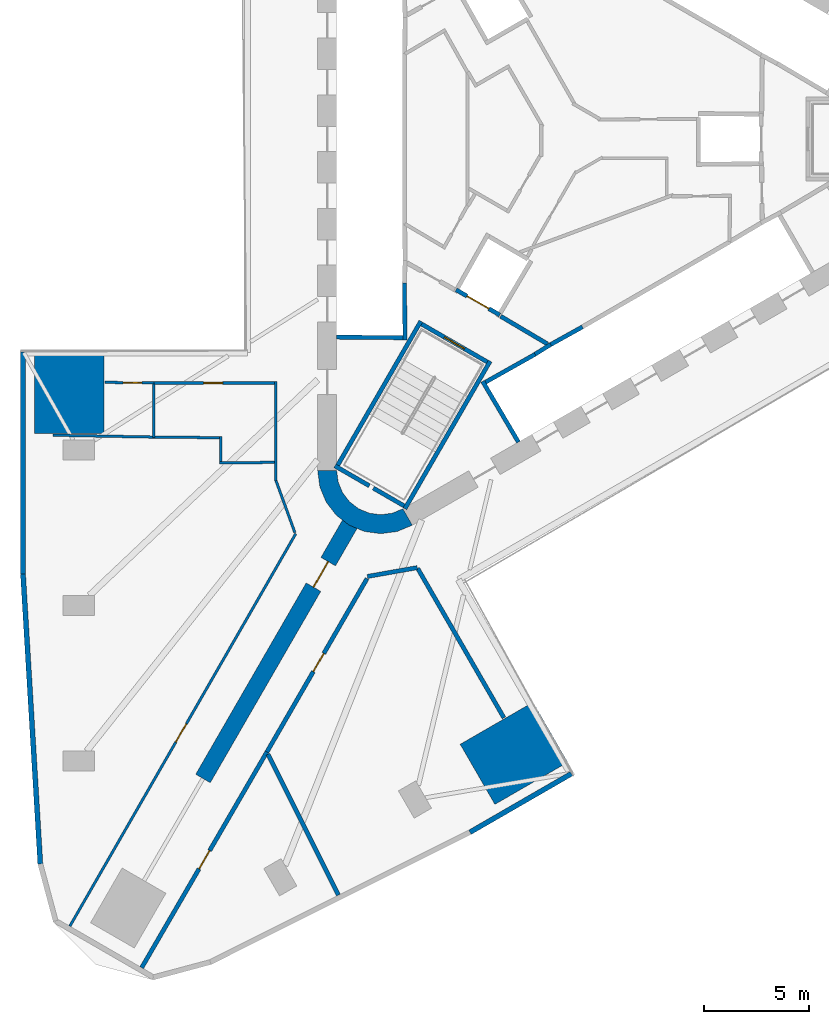
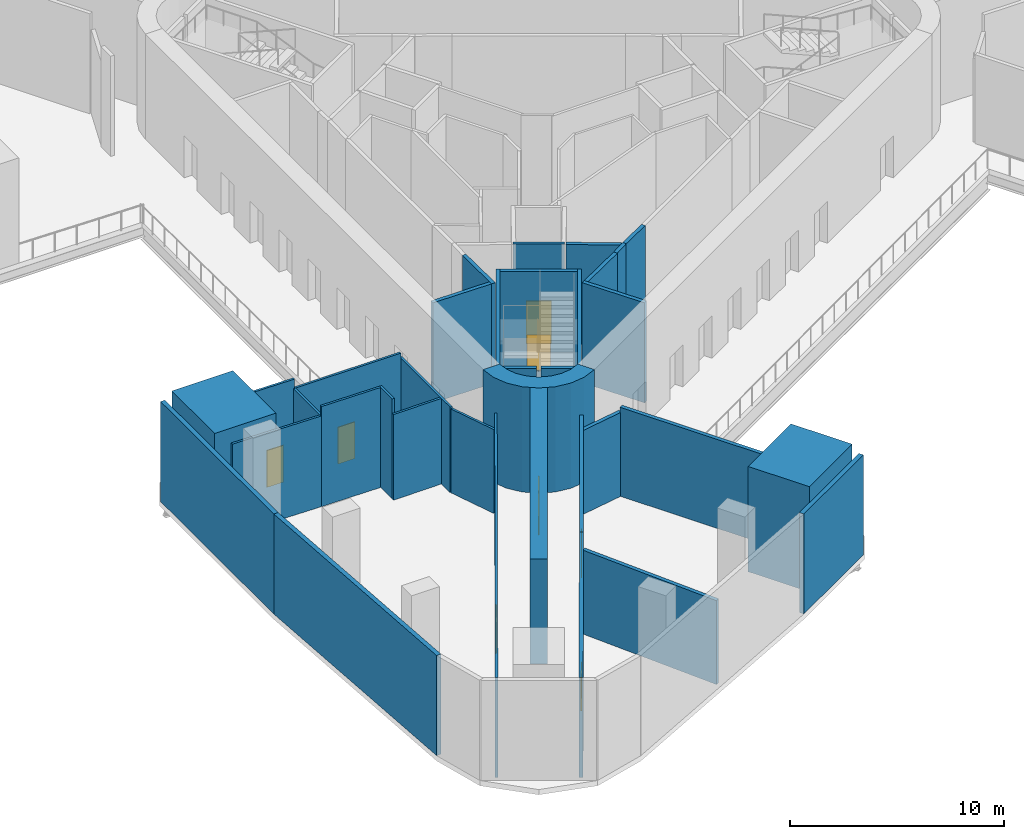
# One storey, part 3 of 11: 35 walls, 8 doors, 8 openings.
"""IFC4 building model written with IfcOpenShell, lengths in metres."""

import ifcopenshell
import ifcopenshell.guid

model = None  # the IFC model being written
_history = None  # IfcOwnerHistory: only IFC2X3 demands one
_inside = {}  # id of a spatial element -> (the spatial element, [elements in it])
_under = {}  # id of a project, library or spatial element -> (it, [spatial elements below it])
_declared = {}  # id of a project -> (the project, [libraries it declares])
_typed = {}  # id of a type object -> (the type object, [elements of that type])
_made_of = {}  # id of a material, layer set ... -> (it, [elements and type objects made of it])


def new_model(schema):
    """Start an empty IFC model of exactly this schema.

    Asked for "IFC4X3", IfcOpenShell would pick the latest addendum, in which some entities
    have other attributes; the version numbers below select the first issue.
    IFC2X3 requires an IfcOwnerHistory on every rooted entity: one is made here for all.
    """
    global model, _history
    if schema == "IFC4X3":
        model = ifcopenshell.file(schema_version=(4, 3, 0, 0))
    else:
        model = ifcopenshell.file(schema=schema)
    _inside.clear()
    _under.clear()
    _declared.clear()
    _typed.clear()
    _made_of.clear()
    _history = None
    if model.schema == "IFC2X3":
        org = make("IfcOrganization", Name="unknown")
        user = make(
            "IfcPersonAndOrganization",
            ThePerson=make("IfcPerson", FamilyName="unknown"),
            TheOrganization=org,
        )
        app = make(
            "IfcApplication",
            ApplicationDeveloper=org,
            Version="unknown",
            ApplicationFullName="unknown",
            ApplicationIdentifier="unknown",
        )
        _history = make(
            "IfcOwnerHistory",
            OwningUser=user,
            OwningApplication=app,
            ChangeAction="ADDED",
            CreationDate=0,
        )
    return model


def make(cls, **values):
    """One entity of the class cls with the attributes given. An attribute that is None is left unset."""
    return model.create_entity(
        cls, **{name: value for name, value in values.items() if value is not None}
    )


def rooted(cls, **values):
    """An entity with a GlobalId (a new one), such as an element, a storey or a relation."""
    return make(cls, GlobalId=ifcopenshell.guid.new(), OwnerHistory=_history, **values)


def si_unit(unit_type, name, prefix=None):
    """IfcSIUnit, for example si_unit("LENGTHUNIT", "METRE", prefix="MILLI")."""
    return make("IfcSIUnit", UnitType=unit_type, Prefix=prefix, Name=name)


def assignment(units):
    """IfcUnitAssignment: the units of a project."""
    return None if units is None else make("IfcUnitAssignment", Units=units)


def point(xyz):
    """IfcCartesianPoint."""
    return None if xyz is None else make("IfcCartesianPoint", Coordinates=xyz)


def direction(xyz):
    """IfcDirection."""
    return None if xyz is None else make("IfcDirection", DirectionRatios=xyz)


def frame(location, z_axis=None, x_axis=None):
    """IfcAxis2Placement3D, a coordinate frame: its origin and axes. An axis left out is left unset."""
    return make(
        "IfcAxis2Placement3D",
        Location=point(location),
        Axis=direction(z_axis),
        RefDirection=direction(x_axis),
    )


def frame_2d(location, x_axis=None):
    """IfcAxis2Placement2D, a coordinate frame in the plane: its origin and x axis."""
    return make(
        "IfcAxis2Placement2D", Location=point(location), RefDirection=direction(x_axis)
    )


def origin():
    """The frame at (0, 0, 0) with its axes left unset."""
    return frame((0.0, 0.0, 0.0))


def place(relative_to, where):
    """IfcLocalPlacement: puts the frame where relative to a parent placement (None: the world)."""
    return make(
        "IfcLocalPlacement", PlacementRelTo=relative_to, RelativePlacement=where
    )


def context(
    kind, dimensions, precision=None, world=None, true_north=None, identifier=None
):
    """IfcGeometricRepresentationContext, for example the 3D "Model" context."""
    return make(
        "IfcGeometricRepresentationContext",
        ContextIdentifier=identifier,
        ContextType=kind,
        CoordinateSpaceDimension=dimensions,
        Precision=precision,
        WorldCoordinateSystem=world,
        TrueNorth=true_north,
    )


def subcontext(parent, identifier, kind, view, scale=None):
    """IfcGeometricRepresentationSubContext, for example "Body" below "Model"."""
    return make(
        "IfcGeometricRepresentationSubContext",
        ContextIdentifier=identifier,
        ContextType=kind,
        ParentContext=parent,
        TargetScale=scale,
        TargetView=view,
    )


def project(units=None, contexts=None):
    """IfcProject with its units and contexts."""
    return rooted(
        "IfcProject",
        Name="project",
        RepresentationContexts=contexts,
        UnitsInContext=assignment(units),
    )


def spatial(cls, under=None, at=None, **own):
    """A site, building, storey or space (cls), placed at a placement, below another one or the project."""
    s = rooted(cls, ObjectPlacement=at, **own)
    if under is not None:
        _under.setdefault(under.id(), (under, []))[1].append(s)
    return s


def polyline(points):
    """IfcPolyline through the points."""
    return make("IfcPolyline", Points=[point(p) for p in points])


def profile(cls, at=None, kind="AREA", **sizes):
    """A parametric profile (cls). Its sizes go by their IFC names, for example OverallWidth=200.0."""
    return make(cls, ProfileType=kind, Position=at, **sizes)


def rectangle(**sizes):
    """IfcRectangleProfileDef."""
    return profile("IfcRectangleProfileDef", **sizes)


def outline(outer, holes=None, kind="AREA"):
    """IfcArbitraryClosedProfileDef: a profile drawn as a closed curve; with holes, ...WithVoids."""
    if holes is None:
        return make("IfcArbitraryClosedProfileDef", ProfileType=kind, OuterCurve=outer)
    return make(
        "IfcArbitraryProfileDefWithVoids",
        ProfileType=kind,
        OuterCurve=outer,
        InnerCurves=holes,
    )


def extrude(swept, where, along, depth):
    """IfcExtrudedAreaSolid: the profile swept, set in the frame where, extruded along a direction by depth."""
    return make(
        "IfcExtrudedAreaSolid",
        SweptArea=swept,
        Position=where,
        ExtrudedDirection=direction(along),
        Depth=depth,
    )


def shape(context_of_items, identifier, shape_type, items):
    """IfcShapeRepresentation: the items that make up one representation, for example the "Body"."""
    return make(
        "IfcShapeRepresentation",
        ContextOfItems=context_of_items,
        RepresentationIdentifier=identifier,
        RepresentationType=shape_type,
        Items=items,
    )


def material(Name=None, Category=None):
    """IfcMaterial."""
    return make("IfcMaterial", Name=Name, Category=Category)


def layer(
    of_material, thickness, ventilated=None, Name=None, Category=None, Priority=None
):
    """IfcMaterialLayer: one layer of a wall or slab, of a material (None: an air gap)."""
    return make(
        "IfcMaterialLayer",
        Material=of_material,
        LayerThickness=thickness,
        IsVentilated=ventilated,
        Name=Name,
        Category=Category,
        Priority=Priority,
    )


def layer_set(layers, Name=None):
    """IfcMaterialLayerSet."""
    return make("IfcMaterialLayerSet", MaterialLayers=layers, LayerSetName=Name)


def made_of(thing, what):
    """Note that an element or type object is made of a material, layer set ...; save() writes the relation."""
    if what is not None:
        _made_of.setdefault(what.id(), (what, []))[1].append(thing)
    return thing


def type_object(cls, material=None, **own):
    """A type object (cls), such as IfcWallType, which elements share."""
    return made_of(rooted(cls, **own), material)


def element(
    cls,
    number,
    at=None,
    inside=None,
    cuts=None,
    type_object=None,
    material=None,
    context=None,
    identifier="Body",
    shape_type=None,
    held_by="IfcProductDefinitionShape",
    body=None,
    shapes=None,
    **own,
):
    """One element of the class cls, such as IfcWall. Its Tag is "e" and its number.

    at: its placement. inside: the storey or other place that contains it. cuts: it is an
    opening in that element (IfcRelVoidsElement). A single representation is given by context,
    identifier, shape_type and body (its items); several are given by shapes. held_by: the class
    of the entity that holds the representations. save() writes the other relations.
    """
    e = rooted(cls, Tag="e%d" % number, ObjectPlacement=at, **own)
    if body is not None:
        shapes = [shape(context, identifier, shape_type, body)]
    if shapes is not None:
        e.Representation = make(held_by, Representations=shapes)
    if inside is not None:
        _inside.setdefault(inside.id(), (inside, []))[1].append(e)
    if cuts is not None:
        rooted(
            "IfcRelVoidsElement", RelatingBuildingElement=cuts, RelatedOpeningElement=e
        )
    if type_object is not None:
        _typed.setdefault(type_object.id(), (type_object, []))[1].append(e)
    return made_of(e, material)


def fill(opening, filler):
    """IfcRelFillsElement: the door or window that sits in an opening."""
    return rooted(
        "IfcRelFillsElement",
        RelatingOpeningElement=opening,
        RelatedBuildingElement=filler,
    )


def aggregate(whole, parts):
    """IfcRelAggregates: a whole, such as a stair, and the parts it consists of."""
    return rooted("IfcRelAggregates", RelatingObject=whole, RelatedObjects=parts)


def save(model, path):
    """Write the relations noted so far, then the file.

    IfcRelAggregates (storeys below a building ...), IfcRelContainedInSpatialStructure (elements
    in a storey), IfcRelDefinesByType, IfcRelAssociatesMaterial and IfcRelDeclares: one each for
    every whole, place, type object, material and project.
    """
    for whole, parts in _under.values():
        aggregate(whole, parts)
    for where, things in _inside.values():
        rooted(
            "IfcRelContainedInSpatialStructure",
            RelatedElements=things,
            RelatingStructure=where,
        )
    for kind, things in _typed.values():
        rooted("IfcRelDefinesByType", RelatedObjects=things, RelatingType=kind)
    for what, things in _made_of.values():
        rooted("IfcRelAssociatesMaterial", RelatedObjects=things, RelatingMaterial=what)
    for by, libraries in _declared.values():
        rooted("IfcRelDeclares", RelatingContext=by, RelatedDefinitions=libraries)
    model.write(path)


model = new_model("IFC4")

# Units and contexts
model_context = context("Model", 3, precision=1e-05, world=origin(), true_north=direction((0.0, 1.0)))
body_context = subcontext(model_context, "Body", "Model", "MODEL_VIEW")
ifc_project = project(units=[si_unit("LENGTHUNIT", "METRE"), si_unit("AREAUNIT", "SQUARE_METRE"), si_unit("VOLUMEUNIT", "CUBIC_METRE"), si_unit("PLANEANGLEUNIT", "RADIAN"), si_unit("MASSUNIT", "GRAM", prefix="KILO")], contexts=[model_context])

# Site, building, storey
site_placement = place(None, origin())
site = spatial("IfcSite", under=ifc_project, at=site_placement, CompositionType="ELEMENT")
building_placement = place(site_placement, origin())
building = spatial("IfcBuilding", under=site, at=building_placement, Name="Tanit Gate Tower", CompositionType="ELEMENT")
storey_placement = place(building_placement, frame((0.0, 0.0, 15.5)))
storey = spatial("IfcBuildingStorey", under=building, at=storey_placement, Name="L02", CompositionType="ELEMENT", Elevation=15.5)

# Wall, opening, door
ifc_material_1 = material(Name="Concrete C60/75", Category="concrete")
ifc_layer_1 = layer(ifc_material_1, 0.800048828125)
ifc_layer_set_1 = layer_set([ifc_layer_1], Name="BUTTRESS FIN 800 C60/75")
wall_type_1 = type_object("IfcWallType", Name="BUTTRESS FIN 800 C60/75", PredefinedType="SHEAR", material=ifc_layer_set_1)
wall_1_placement = place(storey_placement, frame((-10.574951171875, -18.31640625, 0.0), z_axis=(0.0, 0.0, 1.0), x_axis=(-0.499996575515, -0.866027380903, 0.0)))
wall_1 = element("IfcWall", 1, at=wall_1_placement, inside=storey, type_object=wall_type_1, Name="BUTTRESS FIN", PredefinedType="SHEAR", context=body_context, shape_type="SweptSolid", body=[
    extrude(rectangle(XDim=13.9541015625, YDim=0.800048828125, at=frame_2d((6.97705078125, 0.0))), origin(), (0.0, 0.0, 1.0), 6.0),
])
opening_1_placement = place(wall_1_placement, frame((2.050048828125, 0.0, 0.0)))
opening_1 = element("IfcOpeningElement", 2, at=opening_1_placement, cuts=wall_1, Name="Opening P14-02-F-SW-1", PredefinedType="OPENING", context=body_context, shape_type="SweptSolid", body=[
    extrude(rectangle(XDim=1.39990234375, YDim=2.39990234375, at=frame_2d((0.699951171875, 1.199951171875))), frame((0.0, 0.41015625, 0.0), z_axis=(0.0, -1.0, 0.0), x_axis=(1.0, 0.0, 0.0)), (0.0, 0.0, 1.0), 0.820068359375),
])
ifc_material_2 = material(Name="Timber door leaf", Category="wood")
door_type_1 = type_object("IfcDoorType", Name="INT-DOOR-FIN-PAIR-1400", OperationType="NOTDEFINED", PredefinedType="NOTDEFINED", material=ifc_material_2)
door_1_placement = place(opening_1_placement, origin())
door_1 = element("IfcDoor", 3, at=door_1_placement, inside=storey, type_object=door_type_1, Name="Door P14-02-F-SW-1", OperationType="DOUBLE_DOOR_SINGLE_SWING", OverallHeight=2.39990234375, OverallWidth=1.39990234375, PredefinedType="NOTDEFINED", context=body_context, shape_type="SweptSolid", body=[
    extrude(rectangle(XDim=1.39990234375, YDim=2.39990234375, at=frame_2d((0.699951171875, 1.199951171875))), frame((0.0, 0.02490234375, 0.0), z_axis=(0.0, -1.0, 0.0), x_axis=(1.0, 0.0, 0.0)), (0.0, 0.0, 1.0), 0.050048828125),
])
fill(opening_1, door_1)

# Walls
ifc_material_3 = material(Name="Concrete C60/75", Category="concrete")
ifc_layer_2 = layer(ifc_material_3, 0.89990234375)
ifc_layer_set_2 = layer_set([ifc_layer_2], Name="CORE WALL 900 C60/75")
wall_type_2 = type_object("IfcWallType", Name="CORE WALL 900 C60/75", PredefinedType="SHEAR", material=ifc_layer_set_2)
wall_2_placement = place(storey_placement, origin())
element("IfcWall", 4, at=wall_2_placement, inside=storey, type_object=wall_type_2, Name="CORE WALL CORNER", PredefinedType="SHEAR", context=body_context, shape_type="SweptSolid", body=[
    extrude(outline(polyline([(-12.10009765625, -15.76171875), (-11.997802734375, -16.5380859375), (-11.697998046875, -17.26171875), (-11.22119140625, -17.883056640625), (-10.60009765625, -18.359619140625), (-9.87646484375, -18.659423828125), (-9.10009765625, -18.76171875), (-8.323486328125, -18.659423828125), (-7.60009765625, -18.359619140625), (-8.050048828125, -17.580322265625), (-8.556396484375, -17.7900390625), (-9.10009765625, -17.86181640625), (-9.6435546875, -17.7900390625), (-10.14990234375, -17.580322265625), (-10.5849609375, -17.24658203125), (-10.918701171875, -16.811767578125), (-11.12841796875, -16.30517578125), (-11.199951171875, -15.76171875), (-12.10009765625, -15.76171875)])), origin(), (0.0, 0.0, 1.0), 6.0),
])
ifc_material_4 = material(Name="Concrete C30/37 with bronze anodised aluminium cladding", Category="concrete")
ifc_layer_3 = layer(ifc_material_4, 0.239990234375)
ifc_layer_set_3 = layer_set([ifc_layer_3], Name="Facade wall bronze clad 240")
wall_type_3 = type_object("IfcWallType", Name="Facade wall bronze clad 240", PredefinedType="SOLIDWALL", material=ifc_layer_set_3)
wall_3_placement = place(storey_placement, frame((-26.107666015625, -10.119384765625, 0.0), z_axis=(0.0, 0.0, 1.0), x_axis=(6.9319284e-05, -0.999999997597, 0.0)))
element("IfcWall", 5, at=wall_3_placement, inside=storey, type_object=wall_type_3, Name="Bronze-clad facade wall L02 W2b", PredefinedType="SOLIDWALL", context=body_context, shape_type="SweptSolid", body=[
    extrude(rectangle(XDim=10.56591796875, YDim=0.239990234375, at=frame_2d((5.282958984375, 0.0))), origin(), (0.0, 0.0, 1.0), 5.699951171875),
])
wall_4_placement = place(storey_placement, frame((-26.10693359375, -20.685302734375, 0.0), z_axis=(0.0, 0.0, 1.0), x_axis=(0.059596169304, -0.998222568671, 0.0)))
element("IfcWall", 6, at=wall_4_placement, inside=storey, type_object=wall_type_3, Name="Bronze-clad facade wall L02 W3", PredefinedType="SOLIDWALL", context=body_context, shape_type="SweptSolid", body=[
    extrude(rectangle(XDim=13.80126953125, YDim=0.239990234375, at=frame_2d((6.900634765625, 0.0))), origin(), (0.0, 0.0, 1.0), 5.699951171875),
])
wall_5_placement = place(storey_placement, frame((-4.859130859375, -32.954345703125, 0.0), z_axis=(0.0, 0.0, 1.0), x_axis=(0.865999312459, 0.500045188778, 0.0)))
element("IfcWall", 7, at=wall_5_placement, inside=storey, type_object=wall_type_3, Name="Bronze-clad facade wall L02 SE2a", PredefinedType="SOLIDWALL", context=body_context, shape_type="SweptSolid", body=[
    extrude(rectangle(XDim=5.56591796875, YDim=0.239990234375, at=frame_2d((2.782958984375, 0.0))), origin(), (0.0, 0.0, 1.0), 5.699951171875),
])
ifc_material_5 = material(Name="Fire-rated gypsum board partition")
ifc_layer_4 = layer(ifc_material_5, 0.199951171875)
ifc_layer_set_4 = layer_set([ifc_layer_4], Name="INT-WALL-COMPARTMENT")
wall_type_4 = type_object("IfcWallType", Name="INT-WALL-COMPARTMENT", PredefinedType="PARTITIONING", material=ifc_layer_set_4)
wall_6_placement = place(storey_placement, frame((-3.400634765625, -8.43017578125, 0.0), z_axis=(0.0, 0.0, 1.0), x_axis=(0.860615607571, -0.509255118781, 0.0)))
element("IfcWall", 8, at=wall_6_placement, inside=storey, type_object=wall_type_4, Name="Wall Compartment W066", PredefinedType="PARTITIONING", context=body_context, shape_type="SweptSolid", body=[
    extrude(rectangle(XDim=2.58056640625, YDim=0.199951171875, at=frame_2d((1.290283203125, 0.0))), origin(), (0.0, 0.0, 1.0), 5.699951171875),
])

# Wall, opening, door
wall_7_placement = place(storey_placement, frame((-14.51416015625, -29.138916015625, 0.0), z_axis=(0.0, 0.0, 1.0), x_axis=(-0.502061989067, -0.864831636294, 0.0)))
wall_7 = element("IfcWall", 9, at=wall_7_placement, inside=storey, type_object=wall_type_4, Name="Wall Compartment W117", PredefinedType="PARTITIONING", context=body_context, shape_type="SweptSolid", body=[
    extrude(rectangle(XDim=11.85546875, YDim=0.199951171875, at=frame_2d((5.927734375, 0.0))), origin(), (0.0, 0.0, 1.0), 5.699951171875),
])
opening_2_placement = place(wall_7_placement, frame((5.42138671875, 0.0, 0.0)))
opening_2 = element("IfcOpeningElement", 10, at=opening_2_placement, cuts=wall_7, Name="Opening F10-02-23", PredefinedType="OPENING", context=body_context, shape_type="SweptSolid", body=[
    extrude(rectangle(XDim=1.0, YDim=2.10009765625, at=frame_2d((0.5, 1.050048828125))), frame((0.0, 0.10986328125, 0.0), z_axis=(0.0, -1.0, 0.0), x_axis=(1.0, 0.0, 0.0)), (0.0, 0.0, 1.0), 0.219970703125),
])
ifc_material_6 = material(Name="Fire-rated steel door leaf", Category="steel")
door_type_2 = type_object("IfcDoorType", Name="INT-DOOR-FIRE-1000", OperationType="NOTDEFINED", PredefinedType="USERDEFINED", material=ifc_material_6)
door_2_placement = place(opening_2_placement, origin())
door_2 = element("IfcDoor", 11, at=door_2_placement, inside=storey, type_object=door_type_2, Name="Door F10-02-23", ObjectType="FIRE DOOR", OperationType="SINGLE_SWING_LEFT", OverallHeight=2.10009765625, OverallWidth=1.0, PredefinedType="USERDEFINED", context=body_context, shape_type="SweptSolid", body=[
    extrude(rectangle(XDim=1.0, YDim=2.10009765625, at=frame_2d((0.5, 1.050048828125))), frame((0.0, 0.02490234375, 0.0), z_axis=(0.0, -1.0, 0.0), x_axis=(1.0, 0.0, 0.0)), (0.0, 0.0, 1.0), 0.050048828125),
])
fill(opening_2, door_2)

# Wall
wall_8_placement = place(storey_placement, frame((-9.738037109375, -20.795654296875, 0.0), z_axis=(0.0, 0.0, 1.0), x_axis=(0.984780494406, 0.173802698013, 0.0)))
element("IfcWall", 12, at=wall_8_placement, inside=storey, type_object=wall_type_4, Name="Wall Compartment W118", PredefinedType="PARTITIONING", context=body_context, shape_type="SweptSolid", body=[
    extrude(rectangle(XDim=2.40625, YDim=0.199951171875, at=frame_2d((1.203125, 0.0))), origin(), (0.0, 0.0, 1.0), 4.780029296875),
])

# Wall, opening, door
wall_9_placement = place(storey_placement, frame((-9.757568359375, -20.900634765625, 0.0), z_axis=(0.0, 0.0, 1.0), x_axis=(-0.499997931106, -0.866026598257, 0.0)))
wall_9 = element("IfcWall", 13, at=wall_9_placement, inside=storey, type_object=wall_type_4, Name="Wall Compartment W119", PredefinedType="PARTITIONING", context=body_context, shape_type="SweptSolid", body=[
    extrude(rectangle(XDim=9.5126953125, YDim=0.199951171875, at=frame_2d((4.75634765625, 0.0))), origin(), (0.0, 0.0, 1.0), 5.699951171875),
])
opening_3_placement = place(wall_9_placement, frame((4.099609375, 0.0, 0.0)))
opening_3 = element("IfcOpeningElement", 14, at=opening_3_placement, cuts=wall_9, Name="Opening F10-02-24", PredefinedType="OPENING", context=body_context, shape_type="SweptSolid", body=[
    extrude(rectangle(XDim=1.0, YDim=2.10009765625, at=frame_2d((0.5, 1.050048828125))), frame((0.0, 0.10986328125, 0.0), z_axis=(0.0, -1.0, 0.0), x_axis=(1.0, 0.0, 0.0)), (0.0, 0.0, 1.0), 0.219970703125),
])
door_3_placement = place(opening_3_placement, origin())
door_3 = element("IfcDoor", 15, at=door_3_placement, inside=storey, type_object=door_type_2, Name="Door F10-02-24", ObjectType="FIRE DOOR", OperationType="SINGLE_SWING_LEFT", OverallHeight=2.10009765625, OverallWidth=1.0, PredefinedType="USERDEFINED", context=body_context, shape_type="SweptSolid", body=[
    extrude(rectangle(XDim=1.0, YDim=2.10009765625, at=frame_2d((0.5, 1.050048828125))), frame((0.0, 0.02490234375, 0.0), z_axis=(0.0, -1.0, 0.0), x_axis=(1.0, 0.0, 0.0)), (0.0, 0.0, 1.0), 0.050048828125),
])
fill(opening_3, door_3)

# Walls
wall_10_placement = place(storey_placement, frame((-7.35009765625, -20.409423828125, 0.0), z_axis=(0.0, 0.0, 1.0), x_axis=(0.500015278874, -0.866016582343, 0.0)))
element("IfcWall", 16, at=wall_10_placement, inside=storey, type_object=wall_type_4, Name="Wall Compartment W120", PredefinedType="PARTITIONING", context=body_context, shape_type="SweptSolid", body=[
    extrude(rectangle(XDim=8.203369140625, YDim=0.199951171875, at=frame_2d((4.1015625, 0.0))), origin(), (0.0, 0.0, 1.0), 5.070068359375),
])
wall_11_placement = place(storey_placement, frame((-14.4619140625, -29.248291015625, 0.0), z_axis=(0.0, 0.0, 1.0), x_axis=(0.447304919826, -0.894381523009, 0.0)))
element("IfcWall", 17, at=wall_11_placement, inside=storey, type_object=wall_type_4, Name="Wall Compartment W125", PredefinedType="PARTITIONING", context=body_context, shape_type="SweptSolid", body=[
    extrude(rectangle(XDim=7.485107421875, YDim=0.199951171875, at=frame_2d((3.74267578125, 0.0))), origin(), (0.0, 0.0, 1.0), 4.780029296875),
])
ifc_material_7 = material(Name="Gypsum board partition")
ifc_layer_5 = layer(ifc_material_7, 0.1201171875)
ifc_layer_set_5 = layer_set([ifc_layer_5], Name="INT-WALL-PARTITION")
wall_type_5 = type_object("IfcWallType", Name="INT-WALL-PARTITION", PredefinedType="PARTITIONING", material=ifc_layer_set_5)
wall_12_placement = place(storey_placement, frame((-14.100830078125, -11.540283203125, 0.0), z_axis=(0.0, 0.0, 1.0), x_axis=(0.000155392104, -0.999999987927, 0.0)))
element("IfcWall", 18, at=wall_12_placement, inside=storey, type_object=wall_type_5, Name="Wall Partition W094", PredefinedType="PARTITIONING", context=body_context, shape_type="SweptSolid", body=[
    extrude(rectangle(XDim=4.71337890625, YDim=0.1201171875, at=frame_2d((2.356689453125, 0.0))), origin(), (0.0, 0.0, 1.0), 4.8798828125),
])

# Wall, opening, door
wall_13_placement = place(storey_placement, frame((-19.892333984375, -11.60009765625, 0.0), z_axis=(0.0, 0.0, 1.0), x_axis=(0.999999999093, -4.2596694e-05, 0.0)))
wall_13 = element("IfcWall", 19, at=wall_13_placement, inside=storey, type_object=wall_type_5, Name="Wall Partition W095", PredefinedType="PARTITIONING", context=body_context, shape_type="SweptSolid", body=[
    extrude(rectangle(XDim=5.7314453125, YDim=0.1201171875, at=frame_2d((2.86572265625, 0.0))), origin(), (0.0, 0.0, 1.0), 5.169921875),
])
opening_4_placement = place(wall_13_placement, frame((2.3701171875, 0.0, 0.0)))
opening_4 = element("IfcOpeningElement", 20, at=opening_4_placement, cuts=wall_13, Name="Opening D09-02-17", PredefinedType="OPENING", context=body_context, shape_type="SweptSolid", body=[
    extrude(rectangle(XDim=0.89990234375, YDim=2.10009765625, at=frame_2d((0.449951171875, 1.050048828125))), frame((0.0, 0.070068359375, 0.0), z_axis=(0.0, -1.0, 0.0), x_axis=(1.0, 0.0, 0.0)), (0.0, 0.0, 1.0), 0.14013671875),
])
ifc_material_8 = material(Name="Timber door leaf", Category="wood")
door_type_3 = type_object("IfcDoorType", Name="INT-DOOR-SINGLE-900", OperationType="NOTDEFINED", PredefinedType="NOTDEFINED", material=ifc_material_8)
door_4_placement = place(opening_4_placement, origin())
door_4 = element("IfcDoor", 21, at=door_4_placement, inside=storey, type_object=door_type_3, Name="Door D09-02-17", OperationType="SINGLE_SWING_RIGHT", OverallHeight=2.10009765625, OverallWidth=0.89990234375, PredefinedType="NOTDEFINED", context=body_context, shape_type="SweptSolid", body=[
    extrude(rectangle(XDim=0.89990234375, YDim=2.10009765625, at=frame_2d((0.449951171875, 1.050048828125))), frame((0.0, 0.02490234375, 0.0), z_axis=(0.0, -1.0, 0.0), x_axis=(1.0, 0.0, 0.0)), (0.0, 0.0, 1.0), 0.050048828125),
])
fill(opening_4, door_4)

wall_14_placement = place(storey_placement, frame((-22.203369140625, -11.570068359375, 0.0), z_axis=(0.0, 0.0, 1.0), x_axis=(0.999915590323, -0.012992775999, 0.0)))
wall_14 = element("IfcWall", 22, at=wall_14_placement, inside=storey, type_object=wall_type_5, Name="Wall Partition W096", PredefinedType="PARTITIONING", context=body_context, shape_type="SweptSolid", body=[
    extrude(rectangle(XDim=2.311279296875, YDim=0.1201171875, at=frame_2d((1.15576171875, 0.0))), origin(), (0.0, 0.0, 1.0), 5.699951171875),
])
opening_5_placement = place(wall_14_placement, frame((0.8505859375, 0.0, 0.0)))
opening_5 = element("IfcOpeningElement", 23, at=opening_5_placement, cuts=wall_14, Name="Opening D09-02-27", PredefinedType="OPENING", context=body_context, shape_type="SweptSolid", body=[
    extrude(rectangle(XDim=0.89990234375, YDim=2.10009765625, at=frame_2d((0.449951171875, 1.050048828125))), frame((0.0, 0.070068359375, 0.0), z_axis=(0.0, -1.0, 0.0), x_axis=(1.0, 0.0, 0.0)), (0.0, 0.0, 1.0), 0.14013671875),
])
door_5_placement = place(opening_5_placement, origin())
door_5 = element("IfcDoor", 24, at=door_5_placement, inside=storey, type_object=door_type_3, Name="Door D09-02-27", OperationType="SINGLE_SWING_LEFT", OverallHeight=2.10009765625, OverallWidth=0.89990234375, PredefinedType="NOTDEFINED", context=body_context, shape_type="SweptSolid", body=[
    extrude(rectangle(XDim=0.89990234375, YDim=2.10009765625, at=frame_2d((0.449951171875, 1.050048828125))), frame((0.0, 0.02490234375, 0.0), z_axis=(0.0, -1.0, 0.0), x_axis=(1.0, 0.0, 0.0)), (0.0, 0.0, 1.0), 0.050048828125),
])
fill(opening_5, door_5)

wall_15_placement = place(storey_placement, frame((-23.880859375, -37.42041015625, 0.0), z_axis=(0.0, 0.0, 1.0), x_axis=(0.49883822201, 0.866695118402, 0.0)))
wall_15 = element("IfcWall", 25, at=wall_15_placement, inside=storey, type_object=wall_type_5, Name="Wall Partition W097", PredefinedType="PARTITIONING", context=body_context, shape_type="SweptSolid", body=[
    extrude(rectangle(XDim=21.526611328125, YDim=0.1201171875, at=frame_2d((10.76318359375, 0.0))), origin(), (0.0, 0.0, 1.0), 5.699951171875),
])
opening_6_placement = place(wall_15_placement, frame((10.099365234375, 0.0, 0.0)))
opening_6 = element("IfcOpeningElement", 26, at=opening_6_placement, cuts=wall_15, Name="Opening D10-02-18", PredefinedType="OPENING", context=body_context, shape_type="SweptSolid", body=[
    extrude(rectangle(XDim=1.0, YDim=2.10009765625, at=frame_2d((0.5, 1.050048828125))), frame((0.0, 0.070068359375, 0.0), z_axis=(0.0, -1.0, 0.0), x_axis=(1.0, 0.0, 0.0)), (0.0, 0.0, 1.0), 0.14013671875),
])
ifc_material_9 = material(Name="Timber door leaf", Category="wood")
door_type_4 = type_object("IfcDoorType", Name="INT-DOOR-SINGLE-1000", OperationType="NOTDEFINED", PredefinedType="NOTDEFINED", material=ifc_material_9)
door_6_placement = place(opening_6_placement, origin())
door_6 = element("IfcDoor", 27, at=door_6_placement, inside=storey, type_object=door_type_4, Name="Door D10-02-18", OperationType="SINGLE_SWING_RIGHT", OverallHeight=2.10009765625, OverallWidth=1.0, PredefinedType="NOTDEFINED", context=body_context, shape_type="SweptSolid", body=[
    extrude(rectangle(XDim=1.0, YDim=2.10009765625, at=frame_2d((0.5, 1.050048828125))), frame((0.0, 0.02490234375, 0.0), z_axis=(0.0, -1.0, 0.0), x_axis=(1.0, 0.0, 0.0)), (0.0, 0.0, 1.0), 0.050048828125),
])
fill(opening_6, door_6)

# Walls
wall_16_placement = place(storey_placement, frame((-14.07958984375, -16.25, 0.0), z_axis=(0.0, 0.0, 1.0), x_axis=(0.34184025858, -0.939758073982, 0.0)))
element("IfcWall", 28, at=wall_16_placement, inside=storey, type_object=wall_type_5, Name="Wall Partition W098", PredefinedType="PARTITIONING", context=body_context, shape_type="SweptSolid", body=[
    extrude(rectangle(XDim=2.621826171875, YDim=0.1201171875, at=frame_2d((1.31103515625, 0.0))), origin(), (0.0, 0.0, 1.0), 4.780029296875),
])
wall_17_placement = place(storey_placement, frame((-19.892333984375, -11.659912109375, 0.0), z_axis=(0.0, 0.0, 1.0), x_axis=(0.0, -1.0, 0.0)))
element("IfcWall", 29, at=wall_17_placement, inside=storey, type_object=wall_type_5, Name="Wall Partition W100", PredefinedType="PARTITIONING", context=body_context, shape_type="SweptSolid", body=[
    extrude(rectangle(XDim=2.540771484375, YDim=0.1201171875, at=frame_2d((1.2705078125, 0.0))), origin(), (0.0, 0.0, 1.0), 5.169921875),
])
wall_18_placement = place(storey_placement, frame((-14.159912109375, -15.372314453125, 0.0), z_axis=(0.0, 0.0, 1.0), x_axis=(-0.999933313555, -0.011548525593, 0.0)))
element("IfcWall", 30, at=wall_18_placement, inside=storey, type_object=wall_type_5, Name="Wall Partition W101", PredefinedType="PARTITIONING", context=body_context, shape_type="SweptSolid", body=[
    extrude(rectangle(XDim=2.600341796875, YDim=0.1201171875, at=frame_2d((1.30029296875, 0.0))), origin(), (0.0, 0.0, 1.0), 4.8798828125),
])
wall_19_placement = place(storey_placement, frame((-16.699951171875, -15.341796875, 0.0), z_axis=(0.0, 0.0, 1.0), x_axis=(0.0, 1.0, 0.0)))
element("IfcWall", 31, at=wall_19_placement, inside=storey, type_object=wall_type_5, Name="Wall Partition W102", PredefinedType="PARTITIONING", context=body_context, shape_type="SweptSolid", body=[
    extrude(rectangle(XDim=1.200439453125, YDim=0.1201171875, at=frame_2d((0.60009765625, 0.0))), origin(), (0.0, 0.0, 1.0), 5.699951171875),
])
wall_20_placement = place(storey_placement, frame((-16.760009765625, -14.20068359375, 0.0), z_axis=(0.0, 0.0, 1.0), x_axis=(-0.999954917278, 0.009495441583, 0.0)))
element("IfcWall", 32, at=wall_20_placement, inside=storey, type_object=wall_type_5, Name="Wall Partition W103", PredefinedType="PARTITIONING", context=body_context, shape_type="SweptSolid", body=[
    extrude(rectangle(XDim=3.16259765625, YDim=0.1201171875, at=frame_2d((1.581298828125, 0.0))), origin(), (0.0, 0.0, 1.0), 5.699951171875),
])
wall_21_placement = place(storey_placement, frame((-19.92236328125, -14.170654296875, 0.0), z_axis=(0.0, 0.0, 1.0), x_axis=(-0.999824012801, 0.018760155269, 0.0)))
element("IfcWall", 33, at=wall_21_placement, inside=storey, type_object=wall_type_5, Name="Wall Partition W104", PredefinedType="PARTITIONING", context=body_context, shape_type="SweptSolid", body=[
    extrude(rectangle(XDim=4.762939453125, YDim=0.1201171875, at=frame_2d((2.38134765625, 0.0))), origin(), (0.0, 0.0, 1.0), 5.169921875),
])
ifc_material_10 = material(Name="Gypsum shaft wall system")
ifc_layer_6 = layer(ifc_material_10, 0.199951171875)
ifc_layer_set_6 = layer_set([ifc_layer_6], Name="INT-WALL-SHAFT")
wall_type_6 = type_object("IfcWallType", Name="INT-WALL-SHAFT", PredefinedType="PLUMBINGWALL", material=ifc_layer_set_6)
wall_22_placement = place(storey_placement, frame((-7.97900390625, -6.85009765625, 0.0), z_axis=(0.0, 0.0, 1.0), x_axis=(0.011121475088, -0.999938154483, 0.0)))
element("IfcWall", 34, at=wall_22_placement, inside=storey, type_object=wall_type_6, Name="Wall Shaft W011", PredefinedType="PLUMBINGWALL", context=body_context, shape_type="SweptSolid", body=[
    extrude(rectangle(XDim=2.7001953125, YDim=0.199951171875, at=frame_2d((1.35009765625, 0.0))), origin(), (0.0, 0.0, 1.0), 5.699951171875),
])
wall_23_placement = place(storey_placement, frame((-8.050048828125, -9.448974609375, 0.0), z_axis=(0.0, 0.0, 1.0), x_axis=(-0.999957467379, 0.009222983926, 0.0)))
element("IfcWall", 35, at=wall_23_placement, inside=storey, type_object=wall_type_6, Name="Wall Shaft W012", PredefinedType="PLUMBINGWALL", context=body_context, shape_type="SweptSolid", body=[
    extrude(rectangle(XDim=3.150146484375, YDim=0.199951171875, at=frame_2d((1.5751953125, 0.0))), origin(), (0.0, 0.0, 1.0), 5.699951171875),
])
wall_24_placement = place(storey_placement, frame((-2.557861328125, -14.409423828125, 0.0), z_axis=(0.0, 0.0, 1.0), x_axis=(-0.507997497166, 0.861358544901, 0.0)))
element("IfcWall", 36, at=wall_24_placement, inside=storey, type_object=wall_type_6, Name="Wall Shaft W027", PredefinedType="PLUMBINGWALL", context=body_context, shape_type="SweptSolid", body=[
    extrude(rectangle(XDim=3.350341796875, YDim=0.199951171875, at=frame_2d((1.67529296875, 0.0))), origin(), (0.0, 0.0, 1.0), 5.699951171875),
])
wall_25_placement = place(storey_placement, frame((-1.7685546875, -10.23681640625, 0.0), z_axis=(0.0, 0.0, 1.0), x_axis=(-0.871534483978, -0.490334215854, 0.0)))
element("IfcWall", 37, at=wall_25_placement, inside=storey, type_object=wall_type_6, Name="Wall Shaft W028", PredefinedType="PLUMBINGWALL", context=body_context, shape_type="SweptSolid", body=[
    extrude(rectangle(XDim=2.7001953125, YDim=0.199951171875, at=frame_2d((1.35009765625, 0.0))), origin(), (0.0, 0.0, 1.0), 5.699951171875),
])
wall_26_placement = place(storey_placement, frame((-1.02392578125, -9.77099609375, 0.0), z_axis=(0.0, 0.0, 1.0), x_axis=(-0.850348075135, -0.526220629693, 0.0)))
element("IfcWall", 38, at=wall_26_placement, inside=storey, type_object=wall_type_6, Name="Wall Shaft W029", PredefinedType="PLUMBINGWALL", context=body_context, shape_type="SweptSolid", body=[
    extrude(rectangle(XDim=0.878173828125, YDim=0.199951171875, at=frame_2d((0.43896484375, 0.0))), origin(), (0.0, 0.0, 1.0), 5.699951171875),
])
wall_27_placement = place(storey_placement, frame((-1.130126953125, -9.831298828125, 0.0), z_axis=(0.0, 0.0, 1.0), x_axis=(0.874269620932, 0.485440655401, 0.0)))
element("IfcWall", 39, at=wall_27_placement, inside=storey, type_object=wall_type_6, Name="Wall Shaft W030", PredefinedType="PLUMBINGWALL", context=body_context, shape_type="SweptSolid", body=[
    extrude(rectangle(XDim=1.8447265625, YDim=0.199951171875, at=frame_2d((0.92236328125, 0.0))), origin(), (0.0, 0.0, 1.0), 5.699951171875),
])

# Wall, opening, door
wall_28_placement = place(storey_placement, frame((-3.44580078125, -8.3681640625, 0.0), z_axis=(0.0, 0.0, 1.0), x_axis=(-0.866024647952, 0.500001309137, 0.0)))
wall_28 = element("IfcWall", 40, at=wall_28_placement, inside=storey, type_object=wall_type_6, Name="Wall Shaft W056", PredefinedType="PLUMBINGWALL", context=body_context, shape_type="SweptSolid", body=[
    extrude(rectangle(XDim=2.39990234375, YDim=0.199951171875, at=frame_2d((1.199951171875, 0.0))), origin(), (0.0, 0.0, 1.0), 5.699951171875),
])
opening_7_placement = place(wall_28_placement, frame((0.60009765625, 0.0, 0.0)))
opening_7 = element("IfcOpeningElement", 41, at=opening_7_placement, cuts=wall_28, Name="Opening LDFL3-L02", PredefinedType="OPENING", context=body_context, shape_type="SweptSolid", body=[
    extrude(rectangle(XDim=1.199951171875, YDim=2.39990234375, at=frame_2d((0.60009765625, 1.199951171875))), frame((0.0, 0.10986328125, 0.0), z_axis=(0.0, -1.0, 0.0), x_axis=(1.0, 0.0, 0.0)), (0.0, 0.0, 1.0), 0.219970703125),
])
ifc_material_11 = material(Name="Stainless steel sliding door leaf", Category="steel")
door_type_5 = type_object("IfcDoorType", Name="INT-DOOR-LANDING-1200", OperationType="NOTDEFINED", PredefinedType="USERDEFINED", material=ifc_material_11)
door_7_placement = place(opening_7_placement, origin())
door_7 = element("IfcDoor", 42, at=door_7_placement, inside=storey, type_object=door_type_5, Name="Door LDFL3-L02", ObjectType="LANDING DOOR", OperationType="SLIDING_TO_LEFT", OverallHeight=2.39990234375, OverallWidth=1.199951171875, PredefinedType="USERDEFINED", context=body_context, shape_type="SweptSolid", body=[
    extrude(rectangle(XDim=1.199951171875, YDim=2.39990234375, at=frame_2d((0.60009765625, 1.199951171875))), frame((0.0, 0.02490234375, 0.0), z_axis=(0.0, -1.0, 0.0), x_axis=(1.0, 0.0, 0.0)), (0.0, 0.0, 1.0), 0.050048828125),
])
fill(opening_7, door_7)

# Walls
ifc_material_12 = material(Name="Concrete C40/50", Category="concrete")
ifc_layer_7 = layer(ifc_material_12, 0.199951171875)
ifc_layer_set_7 = layer_set([ifc_layer_7], Name="INT-WALL-STAIR")
wall_type_7 = type_object("IfcWallType", Name="INT-WALL-STAIR", PredefinedType="SHEAR", material=ifc_layer_set_7)
wall_29_placement = place(storey_placement, frame((-3.904541015625, -10.56298828125, -0.300048828125), z_axis=(0.0, 0.0, 1.0), x_axis=(-0.500012932018, -0.866017937352, 0.0)))
element("IfcWall", 43, at=wall_29_placement, inside=storey, type_object=wall_type_7, Name="Wall Stair W051", PredefinedType="SHEAR", context=body_context, shape_type="SweptSolid", body=[
    extrude(rectangle(XDim=8.099853515625, YDim=0.199951171875, at=frame_2d((4.0498046875, 0.0))), origin(), (0.0, 0.0, 1.0), 6.0),
])
wall_30_placement = place(storey_placement, frame((-11.281982421875, -15.541015625, -0.300048828125), z_axis=(0.0, 0.0, 1.0), x_axis=(0.866000578957, -0.500042995397, 0.0)))
element("IfcWall", 44, at=wall_30_placement, inside=storey, type_object=wall_type_7, Name="Wall Stair W053", PredefinedType="SHEAR", context=body_context, shape_type="SweptSolid", body=[
    extrude(rectangle(XDim=1.889892578125, YDim=0.199951171875, at=frame_2d((0.94482421875, 0.0))), origin(), (0.0, 0.0, 1.0), 6.0),
])
wall_31_placement = place(storey_placement, frame((-9.454833984375, -16.59619140625, -0.300048828125), z_axis=(0.0, 0.0, 1.0), x_axis=(0.866038843867, -0.499976720371, 0.0)))
element("IfcWall", 45, at=wall_31_placement, inside=storey, type_object=wall_type_7, Name="Wall Stair W052", PredefinedType="SHEAR", context=body_context, shape_type="SweptSolid", body=[
    extrude(rectangle(XDim=1.68994140625, YDim=0.199951171875, at=frame_2d((0.844970703125, 0.0))), origin(), (0.0, 0.0, 1.0), 6.0),
])
wall_32_placement = place(storey_placement, frame((-7.195556640625, -8.662841796875, -0.300048828125), z_axis=(0.0, 0.0, 1.0), x_axis=(-0.499997992926, -0.866026562566, 0.0)))
element("IfcWall", 46, at=wall_32_placement, inside=storey, type_object=wall_type_7, Name="Wall Stair W054", PredefinedType="SHEAR", context=body_context, shape_type="SweptSolid", body=[
    extrude(rectangle(XDim=7.89990234375, YDim=0.199951171875, at=frame_2d((3.949951171875, 0.0))), origin(), (0.0, 0.0, 1.0), 6.0),
])

# Wall, opening, door
wall_33_placement = place(storey_placement, frame((-4.041259765625, -10.599365234375, -0.300048828125), z_axis=(0.0, 0.0, 1.0), x_axis=(-0.866047807691, 0.499961193289, 0.0)))
wall_33 = element("IfcWall", 47, at=wall_33_placement, inside=storey, type_object=wall_type_7, Name="Wall Stair W055", PredefinedType="SHEAR", context=body_context, shape_type="SweptSolid", body=[
    extrude(rectangle(XDim=3.599853515625, YDim=0.199951171875, at=frame_2d((1.7998046875, 0.0))), origin(), (0.0, 0.0, 1.0), 6.0),
])
opening_8_placement = place(wall_33_placement, frame((1.25, 0.0, 0.300048828125)))
opening_8 = element("IfcOpeningElement", 48, at=opening_8_placement, cuts=wall_33, Name="Opening S11-02-07", PredefinedType="OPENING", context=body_context, shape_type="SweptSolid", body=[
    extrude(rectangle(XDim=1.10009765625, YDim=2.10009765625, at=frame_2d((0.550048828125, 1.050048828125))), frame((0.0, 0.10986328125, 0.0), z_axis=(0.0, -1.0, 0.0), x_axis=(1.0, 0.0, 0.0)), (0.0, 0.0, 1.0), 0.219970703125),
])
ifc_material_13 = material(Name="Timber door leaf", Category="wood")
door_type_6 = type_object("IfcDoorType", Name="INT-DOOR-STAIR-1100", OperationType="NOTDEFINED", PredefinedType="USERDEFINED", material=ifc_material_13)
door_8_placement = place(opening_8_placement, origin())
door_8 = element("IfcDoor", 49, at=door_8_placement, inside=storey, type_object=door_type_6, Name="Door S11-02-07", ObjectType="FIRE DOOR", OperationType="SINGLE_SWING_LEFT", OverallHeight=2.10009765625, OverallWidth=1.10009765625, PredefinedType="USERDEFINED", context=body_context, shape_type="SweptSolid", body=[
    extrude(rectangle(XDim=1.10009765625, YDim=2.10009765625, at=frame_2d((0.550048828125, 1.050048828125))), frame((0.0, 0.02490234375, 0.0), z_axis=(0.0, -1.0, 0.0), x_axis=(1.0, 0.0, 0.0)), (0.0, 0.0, 1.0), 0.050048828125),
])
fill(opening_8, door_8)

# Walls
ifc_material_14 = material(Name="Concrete C60/75", Category="concrete")
ifc_layer_8 = layer(ifc_material_14, 4.0)
ifc_layer_set_8 = layer_set([ifc_layer_8], Name="PIER WALL 4000 C60/75")
wall_type_8 = type_object("IfcWallType", Name="PIER WALL 4000 C60/75", PredefinedType="SHEAR", material=ifc_layer_set_8)
wall_34_placement = place(storey_placement, origin())
element("IfcWall", 50, at=wall_34_placement, inside=storey, type_object=wall_type_8, Name="PIER WALL", PredefinedType="SHEAR", context=body_context, shape_type="SweptSolid", body=[
    extrude(outline(polyline([(-3.677734375, -31.6298828125), (-0.213623046875, -29.6298828125), (-1.86376953125, -26.77197265625), (-5.327880859375, -28.77197265625), (-3.677734375, -31.6298828125)])), origin(), (0.0, 0.0, 1.0), 6.0),
])
wall_35_placement = place(storey_placement, origin())
element("IfcWall", 51, at=wall_35_placement, inside=storey, type_object=wall_type_8, Name="PIER WALL", PredefinedType="SHEAR", context=body_context, shape_type="SweptSolid", body=[
    extrude(outline(polyline([(-25.553466796875, -10.0), (-25.553466796875, -14.0), (-22.25341796875, -14.0), (-22.25341796875, -10.0), (-25.553466796875, -10.0)])), origin(), (0.0, 0.0, 1.0), 6.0),
])

save(model, "model.ifc")
